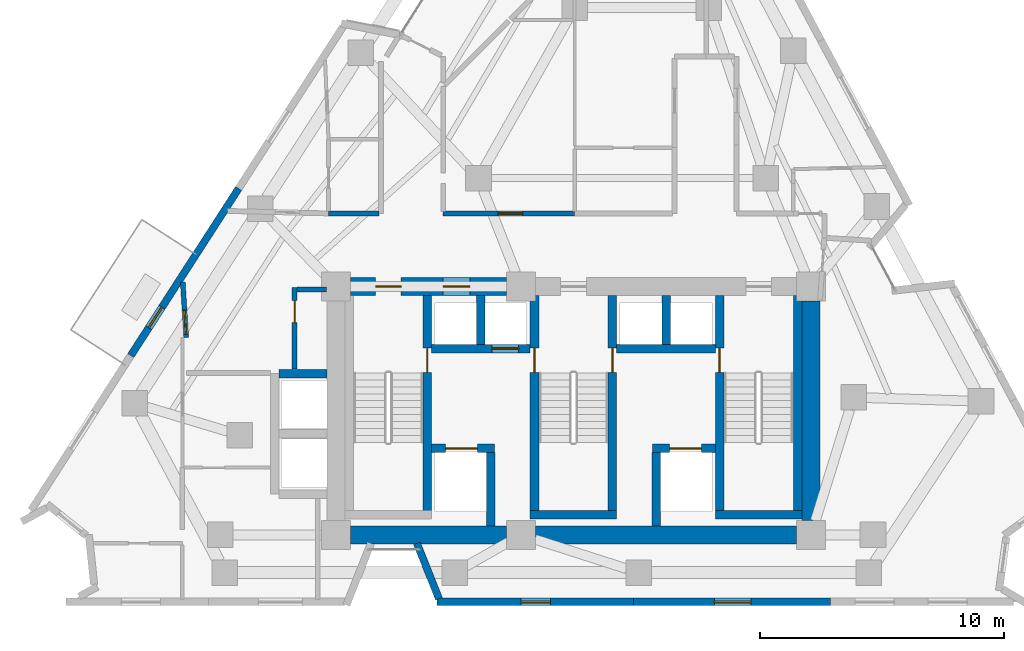
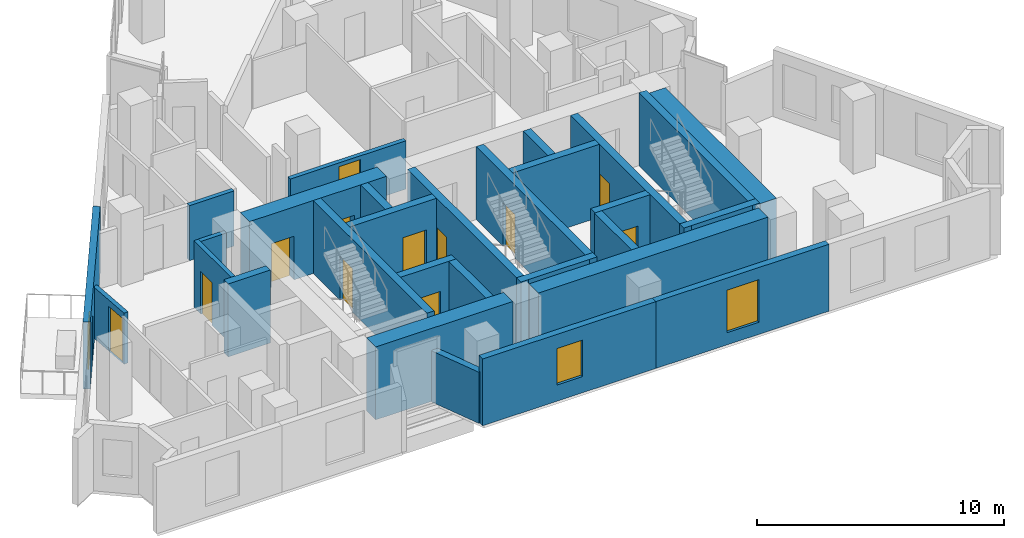
# One storey, part 6 of 11: 29 walls, 13 doors, 2 windows, 15 openings.
"""IFC4 building model written with IfcOpenShell, lengths in metres."""

from ifc_helpers import new_model, si_unit, direction, frame, frame_2d, origin, place, context, subcontext, project, spatial, rectangle, extrude, material, layer, layer_set, type_object, element, fill, save


model = new_model("IFC4")

# Units and contexts
model_context = context("Model", 3, precision=1e-05, world=origin(), true_north=direction((0.0, 1.0)))
body_context = subcontext(model_context, "Body", "Model", "MODEL_VIEW")
ifc_project = project(units=[si_unit("LENGTHUNIT", "METRE"), si_unit("AREAUNIT", "SQUARE_METRE"), si_unit("VOLUMEUNIT", "CUBIC_METRE"), si_unit("PLANEANGLEUNIT", "RADIAN"), si_unit("MASSUNIT", "GRAM", prefix="KILO")], contexts=[model_context])

# Site, building, storey
site_placement = place(None, origin())
site = spatial("IfcSite", under=ifc_project, at=site_placement, CompositionType="ELEMENT")
building_placement = place(site_placement, origin())
building = spatial("IfcBuilding", under=site, at=building_placement, Name="Almagre Mirador Tower", CompositionType="ELEMENT")
storey_placement = place(building_placement, frame((0.0, 0.0, 193.199951171875)))
storey = spatial("IfcBuildingStorey", under=building, at=storey_placement, Name="L50", CompositionType="ELEMENT", Elevation=193.199951171875)

# Wall, opening, window
ifc_material_1 = material(Name="Precast concrete C50/60", Category="concrete")
ifc_layer_1 = layer(ifc_material_1, 0.300048828125)
ifc_layer_set_1 = layer_set([ifc_layer_1], Name="Precast concrete C50/60")
wall_type_1 = type_object("IfcWallType", Name="WAL-EXT-300", PredefinedType="SOLIDWALL", material=ifc_layer_set_1)
wall_1_placement = place(storey_placement, frame((47.85595703125, 1.800048828125, 0.0), z_axis=(0.0, 0.0, 1.0), x_axis=(-1.0, 0.0, 0.0)))
wall_1 = element("IfcWall", 1, at=wall_1_placement, inside=storey, type_object=wall_type_1, Name="L50 expressed almagre precast frame wall 20", PredefinedType="SOLIDWALL", context=body_context, shape_type="SweptSolid", body=[
    extrude(rectangle(XDim=8.083984375, YDim=0.300048828125, at=frame_2d((4.0419921875, 0.0))), origin(), (0.0, 0.0, 1.0), 3.300048828125),
])
opening_1_placement = place(wall_1_placement, frame((3.27490234375, 0.0, 0.60009765625)))
opening_1 = element("IfcOpeningElement", 2, at=opening_1_placement, cuts=wall_1, Name="Opening WN-03", PredefinedType="OPENING", context=body_context, shape_type="SweptSolid", body=[
    extrude(rectangle(XDim=1.5, YDim=2.10009765625, at=frame_2d((0.75, 1.050048828125))), frame((0.0, 0.159902, 0.0), z_axis=(0.0, -1.0, 0.0), x_axis=(1.0, 0.0, 0.0)), (0.0, 0.0, 1.0), 0.320049),
])
ifc_material_2 = material(Name="Dark solar-control laminated hurricane glass", Category="glass")
window_type_1 = type_object("IfcWindowType", Name="WIN-1500X2100", PartitioningType="DOUBLE_PANEL_VERTICAL", PredefinedType="WINDOW", material=ifc_material_2)
window_1_placement = place(opening_1_placement, origin())
window_1 = element("IfcWindow", 3, at=window_1_placement, inside=storey, type_object=window_type_1, Name="L50 recessed hurricane window L50-RST-B", OverallHeight=2.10009765625, OverallWidth=1.5, PartitioningType="SINGLE_PANEL", PredefinedType="WINDOW", context=body_context, shape_type="SweptSolid", body=[
    extrude(rectangle(XDim=1.5, YDim=2.10009765625, at=frame_2d((0.75, 1.050048828125))), frame((0.0, 0.030029296875, 0.0), z_axis=(0.0, -1.0, 0.0), x_axis=(1.0, 0.0, 0.0)), (0.0, 0.0, 1.0), 0.06005859375),
])
fill(opening_1, window_1)

wall_2_placement = place(storey_placement, frame((39.77197265625, 1.800048828125, 0.0), z_axis=(0.0, 0.0, 1.0), x_axis=(-1.0, 0.0, 0.0)))
wall_2 = element("IfcWall", 4, at=wall_2_placement, inside=storey, type_object=wall_type_1, Name="L50 expressed almagre precast frame wall 21", PredefinedType="SOLIDWALL", context=body_context, shape_type="SweptSolid", body=[
    extrude(rectangle(XDim=8.083984375, YDim=0.300048828125, at=frame_2d((4.0419921875, 0.0))), origin(), (0.0, 0.0, 1.0), 3.300048828125),
])
opening_2_placement = place(wall_2_placement, frame((3.425048828125, 0.0, 0.800048828125)))
opening_2 = element("IfcOpeningElement", 5, at=opening_2_placement, cuts=wall_2, Name="Opening WN-04", PredefinedType="OPENING", context=body_context, shape_type="SweptSolid", body=[
    extrude(rectangle(XDim=1.199951171875, YDim=1.800048828125, at=frame_2d((0.60009765625, 0.89990234375))), frame((0.0, 0.159902, 0.0), z_axis=(0.0, -1.0, 0.0), x_axis=(1.0, 0.0, 0.0)), (0.0, 0.0, 1.0), 0.320049),
])
ifc_material_3 = material(Name="Dark solar-control laminated hurricane glass", Category="glass")
window_type_2 = type_object("IfcWindowType", Name="WIN-1200X1800", PartitioningType="SINGLE_PANEL", PredefinedType="WINDOW", material=ifc_material_3)
window_2_placement = place(opening_2_placement, origin())
window_2 = element("IfcWindow", 6, at=window_2_placement, inside=storey, type_object=window_type_2, Name="L50 recessed hurricane window L50-RST-B", OverallHeight=1.800048828125, OverallWidth=1.199951171875, PartitioningType="SINGLE_PANEL", PredefinedType="WINDOW", context=body_context, shape_type="SweptSolid", body=[
    extrude(rectangle(XDim=1.199951171875, YDim=1.800048828125, at=frame_2d((0.60009765625, 0.89990234375))), frame((0.0, 0.030029296875, 0.0), z_axis=(0.0, -1.0, 0.0), x_axis=(1.0, 0.0, 0.0)), (0.0, 0.0, 1.0), 0.06005859375),
])
fill(opening_2, window_2)

# Wall
wall_3_placement = place(storey_placement, frame((31.778076171875, 1.92529296875, 0.0), z_axis=(0.0, 0.0, 1.0), x_axis=(-0.369480334007, 0.929238549987, 0.0)))
element("IfcWall", 7, at=wall_3_placement, inside=storey, type_object=wall_type_1, Name="L50 expressed almagre precast frame wall 22", PredefinedType="SOLIDWALL", context=body_context, shape_type="SweptSolid", body=[
    extrude(rectangle(XDim=2.44677734375, YDim=0.300048828125, at=frame_2d((1.223388671875, 0.0))), origin(), (0.0, 0.0, 1.0), 2.525146484375),
])

# Wall, opening, door
wall_4_placement = place(storey_placement, frame((19.121337890625, 11.910888671875, 0.0), z_axis=(0.0, 0.0, 1.0), x_axis=(0.542005736819, 0.840374786185, 0.0)))
wall_4 = element("IfcWall", 8, at=wall_4_placement, inside=storey, type_object=wall_type_1, Name="L50 expressed almagre precast frame wall 31", PredefinedType="SOLIDWALL", context=body_context, shape_type="SweptSolid", body=[
    extrude(rectangle(XDim=8.171875, YDim=0.300048828125, at=frame_2d((4.0859375, 0.0))), origin(), (0.0, 0.0, 1.0), 3.300048828125),
])
opening_3_placement = place(wall_4_placement, frame((1.362060546875, 0.0, 0.0)))
opening_3 = element("IfcOpeningElement", 9, at=opening_3_placement, cuts=wall_4, Name="Opening BD-01", PredefinedType="OPENING", context=body_context, shape_type="SweptSolid", body=[
    extrude(rectangle(XDim=1.0, YDim=2.199951171875, at=frame_2d((0.5, 1.10009765625))), frame((0.0, 0.159902, 0.0), z_axis=(0.0, -1.0, 0.0), x_axis=(1.0, 0.0, 0.0)), (0.0, 0.0, 1.0), 0.320049),
])
ifc_material_4 = material(Name="Black anodized aluminium and laminated glass", Category="aluminium")
door_type_1 = type_object("IfcDoorType", Name="DOR-BAL-1000X2200", OperationType="NOTDEFINED", PredefinedType="DOOR", material=ifc_material_4)
door_1_placement = place(opening_3_placement, origin())
door_1 = element("IfcDoor", 10, at=door_1_placement, inside=storey, type_object=door_type_1, Name="DR-1566 L50 west balcony glazed door 1", OperationType="SINGLE_SWING_LEFT", OverallHeight=2.199951171875, OverallWidth=1.0, PredefinedType="DOOR", context=body_context, shape_type="SweptSolid", body=[
    extrude(rectangle(XDim=1.0, YDim=2.199951171875, at=frame_2d((0.5, 1.10009765625))), frame((0.0, 0.02490234375, 0.0), z_axis=(0.0, -1.0, 0.0), x_axis=(1.0, 0.0, 0.0)), (0.0, 0.0, 1.0), 0.050048828125),
])
fill(opening_3, door_1)

ifc_material_5 = material(Name="Gypsum acoustic stud partition", Category="other")
ifc_layer_2 = layer(ifc_material_5, 0.199951171875)
ifc_layer_set_2 = layer_set([ifc_layer_2], Name="Gypsum acoustic stud partition")
wall_type_2 = type_object("IfcWallType", Name="WAL-PRT-200-EI60", PredefinedType="PARTITIONING", material=ifc_layer_set_2)
wall_5_placement = place(storey_placement, frame((25.85009765625, 11.3701171875, 0.0), z_axis=(0.0, 0.0, 1.0), x_axis=(0.0, 1.0, 0.0)))
wall_5 = element("IfcWall", 11, at=wall_5_placement, inside=storey, type_object=wall_type_2, Name="L50 core ancillary west wall", PredefinedType="PARTITIONING", context=body_context, shape_type="SweptSolid", body=[
    extrude(rectangle(XDim=3.33984375, YDim=0.199951171875, at=frame_2d((1.669921875, 0.0))), origin(), (0.0, 0.0, 1.0), 3.300048828125),
])
opening_4_placement = place(wall_5_placement, frame((1.89990234375, 0.0, 0.0)))
opening_4 = element("IfcOpeningElement", 12, at=opening_4_placement, cuts=wall_5, Name="Opening ID-03", PredefinedType="OPENING", context=body_context, shape_type="SweptSolid", body=[
    extrude(rectangle(XDim=0.89990234375, YDim=2.10009765625, at=frame_2d((0.449951171875, 1.050048828125))), frame((0.0, 0.110098, 0.0), z_axis=(0.0, -1.0, 0.0), x_axis=(1.0, 0.0, 0.0)), (0.0, 0.0, 1.0), 0.219951),
])
ifc_material_6 = material(Name="Fire-rated hollow steel", Category="steel")
door_type_2 = type_object("IfcDoorType", Name="DOR-FD60-900X2100", OperationType="NOTDEFINED", PredefinedType="DOOR", material=ifc_material_6)
door_2_placement = place(opening_4_placement, origin())
door_2 = element("IfcDoor", 13, at=door_2_placement, inside=storey, type_object=door_type_2, Name="DR-1567 L50 core ancillary corridor door", OperationType="SINGLE_SWING_RIGHT", OverallHeight=2.10009765625, OverallWidth=0.89990234375, PredefinedType="DOOR", context=body_context, shape_type="SweptSolid", body=[
    extrude(rectangle(XDim=0.89990234375, YDim=2.10009765625, at=frame_2d((0.449951171875, 1.050048828125))), frame((0.0, 0.02490234375, 0.0), z_axis=(0.0, -1.0, 0.0), x_axis=(1.0, 0.0, 0.0)), (0.0, 0.0, 1.0), 0.050048828125),
])
fill(opening_4, door_2)

# Wall
wall_6_placement = place(storey_placement, frame((25.955078125, 14.6201171875, 0.0), z_axis=(0.0, 0.0, 1.0), x_axis=(1.0, 0.0, 0.0)))
element("IfcWall", 14, at=wall_6_placement, inside=storey, type_object=wall_type_2, Name="L50 core ancillary north wall", PredefinedType="PARTITIONING", context=body_context, shape_type="SweptSolid", body=[
    extrude(rectangle(XDim=1.204833984375, YDim=0.199951171875, at=frame_2d((0.6025390625, 0.0))), origin(), (0.0, 0.0, 1.0), 3.300048828125),
])

# Wall, opening, door
wall_7_placement = place(storey_placement, frame((21.257080078125, 14.93408203125, 0.0), z_axis=(0.0, 0.0, 1.0), x_axis=(0.06267844951, -0.998033772959, 0.0)))
wall_7 = element("IfcWall", 15, at=wall_7_placement, inside=storey, type_object=wall_type_2, Name="L50 interior partition 001", PredefinedType="PARTITIONING", context=body_context, shape_type="SweptSolid", body=[
    extrude(rectangle(XDim=2.278564453125, YDim=0.199951171875, at=frame_2d((1.13916015625, 0.0))), origin(), (0.0, 0.0, 1.0), 2.52001953125),
])
opening_5_placement = place(wall_7_placement, frame((1.15576171875, 0.0, 0.0)))
opening_5 = element("IfcOpeningElement", 16, at=opening_5_placement, cuts=wall_7, Name="Opening ID-01", PredefinedType="OPENING", context=body_context, shape_type="SweptSolid", body=[
    extrude(rectangle(XDim=1.0, YDim=2.199951171875, at=frame_2d((0.5, 1.10009765625))), frame((0.0, 0.110098, 0.0), z_axis=(0.0, -1.0, 0.0), x_axis=(1.0, 0.0, 0.0)), (0.0, 0.0, 1.0), 0.219951),
])
ifc_material_7 = material(Name="Fire-rated walnut timber", Category="wood")
door_type_3 = type_object("IfcDoorType", Name="DOR-FD60-1000X2200", OperationType="NOTDEFINED", PredefinedType="DOOR", material=ifc_material_7)
door_3_placement = place(opening_5_placement, origin())
door_3 = element("IfcDoor", 17, at=door_3_placement, inside=storey, type_object=door_type_3, Name="DR-1574 L50 interior door L50-RCOR to L50-UA-LV", OperationType="SINGLE_SWING_LEFT", OverallHeight=2.199951171875, OverallWidth=1.0, PredefinedType="DOOR", context=body_context, shape_type="SweptSolid", body=[
    extrude(rectangle(XDim=1.0, YDim=2.199951171875, at=frame_2d((0.5, 1.10009765625))), frame((0.0, 0.02490234375, 0.0), z_axis=(0.0, -1.0, 0.0), x_axis=(1.0, 0.0, 0.0)), (0.0, 0.0, 1.0), 0.050048828125),
])
fill(opening_5, door_3)

# Wall
wall_8_placement = place(storey_placement, frame((29.31494140625, 17.75, 0.0), z_axis=(0.0, 0.0, 1.0), x_axis=(-1.0, 0.0, 0.0)))
element("IfcWall", 18, at=wall_8_placement, inside=storey, type_object=wall_type_2, Name="L50 interior partition 007", PredefinedType="PARTITIONING", context=body_context, shape_type="SweptSolid", body=[
    extrude(rectangle(XDim=2.074951171875, YDim=0.199951171875, at=frame_2d((1.03759765625, 0.0))), origin(), (0.0, 0.0, 1.0), 2.720947265625),
])

# Wall, opening, door
wall_9_placement = place(storey_placement, frame((37.35009765625, 17.75, 0.0), z_axis=(0.0, 0.0, 1.0), x_axis=(-1.0, 0.0, 0.0)))
wall_9 = element("IfcWall", 19, at=wall_9_placement, inside=storey, type_object=wall_type_2, Name="L50 interior partition 014", PredefinedType="PARTITIONING", context=body_context, shape_type="SweptSolid", body=[
    extrude(rectangle(XDim=5.400146484375, YDim=0.199951171875, at=frame_2d((2.7001953125, 0.0))), origin(), (0.0, 0.0, 1.0), 2.385986328125),
])
opening_6_placement = place(wall_9_placement, frame((2.14111328125, 0.0, 0.0)))
opening_6 = element("IfcOpeningElement", 20, at=opening_6_placement, cuts=wall_9, Name="Opening ID-01", PredefinedType="OPENING", context=body_context, shape_type="SweptSolid", body=[
    extrude(rectangle(XDim=1.0, YDim=2.199951171875, at=frame_2d((0.5, 1.10009765625))), frame((0.0, 0.110098, 0.0), z_axis=(0.0, -1.0, 0.0), x_axis=(1.0, 0.0, 0.0)), (0.0, 0.0, 1.0), 0.219951),
])
door_4_placement = place(opening_6_placement, origin())
door_4 = element("IfcDoor", 21, at=door_4_placement, inside=storey, type_object=door_type_3, Name="DR-1586 L50 interior door L50-RCOR to L50-UE-SL1", OperationType="SINGLE_SWING_RIGHT", OverallHeight=2.199951171875, OverallWidth=1.0, PredefinedType="DOOR", context=body_context, shape_type="SweptSolid", body=[
    extrude(rectangle(XDim=1.0, YDim=2.199951171875, at=frame_2d((0.5, 1.10009765625))), frame((0.0, 0.02490234375, 0.0), z_axis=(0.0, -1.0, 0.0), x_axis=(1.0, 0.0, 0.0)), (0.0, 0.0, 1.0), 0.050048828125),
])
fill(opening_6, door_4)

ifc_material_8 = material(Name="Concrete C60/75", Category="concrete")
ifc_layer_3 = layer(ifc_material_8, 0.35009765625)
ifc_layer_set_3 = layer_set([ifc_layer_3], Name="Concrete C60/75")
wall_type_3 = type_object("IfcWallType", Name="WAL-SHF-350", PredefinedType="SOLIDWALL", material=ifc_layer_set_3)
wall_10_placement = place(storey_placement, frame((31.300048828125, 5.199951171875, 0.0), z_axis=(0.0, 0.0, 1.0), x_axis=(0.0, 1.0, 0.0)))
wall_10 = element("IfcWall", 22, at=wall_10_placement, inside=storey, type_object=wall_type_3, Name="L50 shaft wall ST1-E", PredefinedType="SOLIDWALL", context=body_context, shape_type="SweptSolid", body=[
    extrude(rectangle(XDim=9.175048828125, YDim=0.35009765625, at=frame_2d((4.58740234375, 0.0))), origin(), (0.0, 0.0, 1.0), 3.60009765625),
])
opening_7_placement = place(wall_10_placement, frame((6.02001953125, 0.0, 0.0)))
opening_7 = element("IfcOpeningElement", 23, at=opening_7_placement, cuts=wall_10, Name="Opening FD-01", PredefinedType="OPENING", context=body_context, shape_type="SweptSolid", body=[
    extrude(rectangle(XDim=1.0, YDim=2.14990234375, at=frame_2d((0.5, 1.074951171875))), frame((0.0, 0.185049, 0.0), z_axis=(0.0, -1.0, 0.0), x_axis=(1.0, 0.0, 0.0)), (0.0, 0.0, 1.0), 0.370098),
])
ifc_material_9 = material(Name="Fire-rated hollow steel", Category="steel")
door_type_4 = type_object("IfcDoorType", Name="DOR-FFL-1000X2150", OperationType="NOTDEFINED", PredefinedType="DOOR", material=ifc_material_9)
door_5_placement = place(opening_7_placement, origin())
door_5 = element("IfcDoor", 24, at=door_5_placement, inside=storey, type_object=door_type_4, Name="DR-1568 L50 FFL1-ST1 smokeproof door", OperationType="SINGLE_SWING_RIGHT", OverallHeight=2.14990234375, OverallWidth=1.0, PredefinedType="DOOR", context=body_context, shape_type="SweptSolid", body=[
    extrude(rectangle(XDim=1.0, YDim=2.14990234375, at=frame_2d((0.5, 1.074951171875))), frame((0.0, 0.02490234375, 0.0), z_axis=(0.0, -1.0, 0.0), x_axis=(1.0, 0.0, 0.0)), (0.0, 0.0, 1.0), 0.050048828125),
])
fill(opening_7, door_5)

wall_11_placement = place(storey_placement, frame((35.699951171875, 5.199951171875, 0.0), z_axis=(0.0, 0.0, 1.0), x_axis=(0.0, 1.0, 0.0)))
wall_11 = element("IfcWall", 25, at=wall_11_placement, inside=storey, type_object=wall_type_3, Name="L50 shaft wall ST2-W", PredefinedType="SOLIDWALL", context=body_context, shape_type="SweptSolid", body=[
    extrude(rectangle(XDim=9.175048828125, YDim=0.35009765625, at=frame_2d((4.58740234375, 0.0))), origin(), (0.0, 0.0, 1.0), 3.60009765625),
])
opening_8_placement = place(wall_11_placement, frame((6.02001953125, 0.0, 0.0)))
opening_8 = element("IfcOpeningElement", 26, at=opening_8_placement, cuts=wall_11, Name="Opening FD-01", PredefinedType="OPENING", context=body_context, shape_type="SweptSolid", body=[
    extrude(rectangle(XDim=1.0, YDim=2.14990234375, at=frame_2d((0.5, 1.074951171875))), frame((0.0, 0.185049, 0.0), z_axis=(0.0, -1.0, 0.0), x_axis=(1.0, 0.0, 0.0)), (0.0, 0.0, 1.0), 0.370098),
])
door_6_placement = place(opening_8_placement, origin())
door_6 = element("IfcDoor", 27, at=door_6_placement, inside=storey, type_object=door_type_4, Name="DR-1569 L50 FFL1-ST2 smokeproof door", OperationType="SINGLE_SWING_LEFT", OverallHeight=2.14990234375, OverallWidth=1.0, PredefinedType="DOOR", context=body_context, shape_type="SweptSolid", body=[
    extrude(rectangle(XDim=1.0, YDim=2.14990234375, at=frame_2d((0.5, 1.074951171875))), frame((0.0, 0.02490234375, 0.0), z_axis=(0.0, -1.0, 0.0), x_axis=(1.0, 0.0, 0.0)), (0.0, 0.0, 1.0), 0.050048828125),
])
fill(opening_8, door_6)

wall_12_placement = place(storey_placement, frame((38.89990234375, 5.199951171875, 0.0), z_axis=(0.0, 0.0, 1.0), x_axis=(0.0, 1.0, 0.0)))
wall_12 = element("IfcWall", 28, at=wall_12_placement, inside=storey, type_object=wall_type_3, Name="L50 shaft wall ST2-E", PredefinedType="SOLIDWALL", context=body_context, shape_type="SweptSolid", body=[
    extrude(rectangle(XDim=9.175048828125, YDim=0.35009765625, at=frame_2d((4.58740234375, 0.0))), origin(), (0.0, 0.0, 1.0), 3.60009765625),
])
opening_9_placement = place(wall_12_placement, frame((6.02001953125, 0.0, 0.0)))
opening_9 = element("IfcOpeningElement", 29, at=opening_9_placement, cuts=wall_12, Name="Opening FD-01", PredefinedType="OPENING", context=body_context, shape_type="SweptSolid", body=[
    extrude(rectangle(XDim=1.0, YDim=2.14990234375, at=frame_2d((0.5, 1.074951171875))), frame((0.0, 0.185049, 0.0), z_axis=(0.0, -1.0, 0.0), x_axis=(1.0, 0.0, 0.0)), (0.0, 0.0, 1.0), 0.370098),
])
door_7_placement = place(opening_9_placement, origin())
door_7 = element("IfcDoor", 30, at=door_7_placement, inside=storey, type_object=door_type_4, Name="DR-1570 L50 FFL2-ST2 smokeproof door", OperationType="SINGLE_SWING_RIGHT", OverallHeight=2.14990234375, OverallWidth=1.0, PredefinedType="DOOR", context=body_context, shape_type="SweptSolid", body=[
    extrude(rectangle(XDim=1.0, YDim=2.14990234375, at=frame_2d((0.5, 1.074951171875))), frame((0.0, 0.02490234375, 0.0), z_axis=(0.0, -1.0, 0.0), x_axis=(1.0, 0.0, 0.0)), (0.0, 0.0, 1.0), 0.050048828125),
])
fill(opening_9, door_7)

# Wall
wall_13_placement = place(storey_placement, frame((35.52490234375, 5.375, 0.0), z_axis=(0.0, 0.0, 1.0), x_axis=(1.0, 0.0, 0.0)))
element("IfcWall", 31, at=wall_13_placement, inside=storey, type_object=wall_type_3, Name="L50 shaft wall ST2-S", PredefinedType="SOLIDWALL", context=body_context, shape_type="SweptSolid", body=[
    extrude(rectangle(XDim=3.550048828125, YDim=0.35009765625, at=frame_2d((1.77490234375, 0.0))), origin(), (0.0, 0.0, 1.0), 3.60009765625),
])

# Wall, opening, door
wall_14_placement = place(storey_placement, frame((43.300048828125, 5.199951171875, 0.0), z_axis=(0.0, 0.0, 1.0), x_axis=(0.0, 1.0, 0.0)))
wall_14 = element("IfcWall", 32, at=wall_14_placement, inside=storey, type_object=wall_type_3, Name="L50 shaft wall ST3-W", PredefinedType="SOLIDWALL", context=body_context, shape_type="SweptSolid", body=[
    extrude(rectangle(XDim=9.175048828125, YDim=0.35009765625, at=frame_2d((4.58740234375, 0.0))), origin(), (0.0, 0.0, 1.0), 3.60009765625),
])
opening_10_placement = place(wall_14_placement, frame((6.02001953125, 0.0, 0.0)))
opening_10 = element("IfcOpeningElement", 33, at=opening_10_placement, cuts=wall_14, Name="Opening FD-01", PredefinedType="OPENING", context=body_context, shape_type="SweptSolid", body=[
    extrude(rectangle(XDim=1.0, YDim=2.14990234375, at=frame_2d((0.5, 1.074951171875))), frame((0.0, 0.185049, 0.0), z_axis=(0.0, -1.0, 0.0), x_axis=(1.0, 0.0, 0.0)), (0.0, 0.0, 1.0), 0.370098),
])
door_8_placement = place(opening_10_placement, origin())
door_8 = element("IfcDoor", 34, at=door_8_placement, inside=storey, type_object=door_type_4, Name="DR-1571 L50 FFL2-ST3 smokeproof door", OperationType="SINGLE_SWING_LEFT", OverallHeight=2.14990234375, OverallWidth=1.0, PredefinedType="DOOR", context=body_context, shape_type="SweptSolid", body=[
    extrude(rectangle(XDim=1.0, YDim=2.14990234375, at=frame_2d((0.5, 1.074951171875))), frame((0.0, 0.02490234375, 0.0), z_axis=(0.0, -1.0, 0.0), x_axis=(1.0, 0.0, 0.0)), (0.0, 0.0, 1.0), 0.050048828125),
])
fill(opening_10, door_8)

# Walls
wall_15_placement = place(storey_placement, frame((46.5, 5.199951171875, 0.0), z_axis=(0.0, 0.0, 1.0), x_axis=(0.0, 1.0, 0.0)))
element("IfcWall", 35, at=wall_15_placement, inside=storey, type_object=wall_type_3, Name="L50 shaft wall ST3-E", PredefinedType="SOLIDWALL", context=body_context, shape_type="SweptSolid", body=[
    extrude(rectangle(XDim=9.175048828125, YDim=0.35009765625, at=frame_2d((4.58740234375, 0.0))), origin(), (0.0, 0.0, 1.0), 3.60009765625),
])
wall_16_placement = place(storey_placement, frame((43.125, 5.375, 0.0), z_axis=(0.0, 0.0, 1.0), x_axis=(1.0, 0.0, 0.0)))
element("IfcWall", 36, at=wall_16_placement, inside=storey, type_object=wall_type_3, Name="L50 shaft wall ST3-S", PredefinedType="SOLIDWALL", context=body_context, shape_type="SweptSolid", body=[
    extrude(rectangle(XDim=3.550048828125, YDim=0.35009765625, at=frame_2d((1.77490234375, 0.0))), origin(), (0.0, 0.0, 1.0), 3.60009765625),
])

# Wall, opening, door
wall_17_placement = place(storey_placement, frame((31.47509765625, 8.10009765625, 0.0), z_axis=(0.0, 0.0, 1.0), x_axis=(1.0, 0.0, 0.0)))
wall_17 = element("IfcWall", 37, at=wall_17_placement, inside=storey, type_object=wall_type_3, Name="L50 shaft wall FSAE1-N", PredefinedType="SOLIDWALL", context=body_context, shape_type="SweptSolid", body=[
    extrude(rectangle(XDim=2.574951171875, YDim=0.35009765625, at=frame_2d((1.28759765625, 0.0))), origin(), (0.0, 0.0, 1.0), 3.60009765625),
])
opening_11_placement = place(wall_17_placement, frame((0.574951171875, 0.0, 0.0)))
opening_11 = element("IfcOpeningElement", 38, at=opening_11_placement, cuts=wall_17, Name="Opening LD-03", PredefinedType="OPENING", context=body_context, shape_type="SweptSolid", body=[
    extrude(rectangle(XDim=1.300048828125, YDim=2.25, at=frame_2d((0.64990234375, 1.125))), frame((0.0, 0.185049, 0.0), z_axis=(0.0, -1.0, 0.0), x_axis=(1.0, 0.0, 0.0)), (0.0, 0.0, 1.0), 0.370098),
])
ifc_material_10 = material(Name="Hollow stainless steel", Category="steel")
door_type_5 = type_object("IfcDoorType", Name="DOR-LD-1300X2250", OperationType="DOUBLE_DOOR_SLIDING", PredefinedType="DOOR", material=ifc_material_10)
door_9_placement = place(opening_11_placement, origin())
door_9 = element("IfcDoor", 39, at=door_9_placement, inside=storey, type_object=door_type_5, Name="DR-1589 L50 FSAE-1 lift landing door", OperationType="DOUBLE_DOOR_SLIDING", OverallHeight=2.25, OverallWidth=1.300048828125, PredefinedType="DOOR", context=body_context, shape_type="SweptSolid", body=[
    extrude(rectangle(XDim=1.300048828125, YDim=2.25, at=frame_2d((0.64990234375, 1.125))), frame((0.0, 0.02490234375, 0.0), z_axis=(0.0, -1.0, 0.0), x_axis=(1.0, 0.0, 0.0)), (0.0, 0.0, 1.0), 0.050048828125),
])
fill(opening_11, door_9)

wall_18_placement = place(storey_placement, frame((40.550048828125, 8.10009765625, 0.0), z_axis=(0.0, 0.0, 1.0), x_axis=(1.0, 0.0, 0.0)))
wall_18 = element("IfcWall", 40, at=wall_18_placement, inside=storey, type_object=wall_type_3, Name="L50 shaft wall FSAE2-N", PredefinedType="SOLIDWALL", context=body_context, shape_type="SweptSolid", body=[
    extrude(rectangle(XDim=2.574951171875, YDim=0.35009765625, at=frame_2d((1.28759765625, 0.0))), origin(), (0.0, 0.0, 1.0), 3.60009765625),
])
opening_12_placement = place(wall_18_placement, frame((0.699951171875, 0.0, 0.0)))
opening_12 = element("IfcOpeningElement", 41, at=opening_12_placement, cuts=wall_18, Name="Opening LD-03", PredefinedType="OPENING", context=body_context, shape_type="SweptSolid", body=[
    extrude(rectangle(XDim=1.300048828125, YDim=2.25, at=frame_2d((0.64990234375, 1.125))), frame((0.0, 0.185049, 0.0), z_axis=(0.0, -1.0, 0.0), x_axis=(1.0, 0.0, 0.0)), (0.0, 0.0, 1.0), 0.370098),
])
door_10_placement = place(opening_12_placement, origin())
door_10 = element("IfcDoor", 42, at=door_10_placement, inside=storey, type_object=door_type_5, Name="DR-1590 L50 FSAE-2 lift landing door", OperationType="DOUBLE_DOOR_SLIDING", OverallHeight=2.25, OverallWidth=1.300048828125, PredefinedType="DOOR", context=body_context, shape_type="SweptSolid", body=[
    extrude(rectangle(XDim=1.300048828125, YDim=2.25, at=frame_2d((0.64990234375, 1.125))), frame((0.0, 0.02490234375, 0.0), z_axis=(0.0, -1.0, 0.0), x_axis=(1.0, 0.0, 0.0)), (0.0, 0.0, 1.0), 0.050048828125),
])
fill(opening_12, door_10)

# Walls
for number, where, z_axis, x_axis, name in (
    (43, (33.89990234375, 4.925048828125, 0.0), (0.0, 0.0, 1.0), (0.0, 1.0, 0.0), "L50 shaft wall FSAE1-E"),
    (44, (40.699951171875, 4.925048828125, 0.0), (0.0, 0.0, 1.0), (0.0, 1.0, 0.0), "L50 shaft wall FSAE2-W"),
):
    element("IfcWall", number, at=place(storey_placement, frame(where, z_axis=z_axis, x_axis=x_axis)), inside=storey, type_object=wall_type_3, Name=name, PredefinedType="SOLIDWALL", context=body_context, shape_type="SweptSolid", body=[
        extrude(rectangle(XDim=3.0, YDim=0.35009765625, at=frame_2d((1.5, 0.0))), origin(), (0.0, 0.0, 1.0), 3.60009765625),
    ])

# Wall, opening, door
wall_19_placement = place(storey_placement, frame((31.47509765625, 12.199951171875, 0.0), z_axis=(0.0, 0.0, 1.0), x_axis=(1.0, 0.0, 0.0)))
wall_19 = element("IfcWall", 45, at=wall_19_placement, inside=storey, type_object=wall_type_3, Name="L50 shaft wall PLM-S", PredefinedType="SOLIDWALL", context=body_context, shape_type="SweptSolid", body=[
    extrude(rectangle(XDim=4.0498046875, YDim=0.35009765625, at=frame_2d((2.02490234375, 0.0))), origin(), (0.0, 0.0, 1.0), 3.60009765625),
])
opening_13_placement = place(wall_19_placement, frame((2.47509765625, 0.0, 0.0)))
opening_13 = element("IfcOpeningElement", 46, at=opening_13_placement, cuts=wall_19, Name="Opening LD-01", PredefinedType="OPENING", context=body_context, shape_type="SweptSolid", body=[
    extrude(rectangle(XDim=1.10009765625, YDim=2.199951171875, at=frame_2d((0.550048828125, 1.10009765625))), frame((0.0, 0.185049, 0.0), z_axis=(0.0, -1.0, 0.0), x_axis=(1.0, 0.0, 0.0)), (0.0, 0.0, 1.0), 0.370098),
])
ifc_material_11 = material(Name="Hollow stainless steel", Category="steel")
door_type_6 = type_object("IfcDoorType", Name="DOR-LD-1100X2200", OperationType="DOUBLE_DOOR_SLIDING", PredefinedType="DOOR", material=ifc_material_11)
door_11_placement = place(opening_13_placement, origin())
door_11 = element("IfcDoor", 47, at=door_11_placement, inside=storey, type_object=door_type_6, Name="DR-1592 L50 PL-M2 lift landing door", OperationType="DOUBLE_DOOR_SLIDING", OverallHeight=2.199951171875, OverallWidth=1.10009765625, PredefinedType="DOOR", context=body_context, shape_type="SweptSolid", body=[
    extrude(rectangle(XDim=1.10009765625, YDim=2.199951171875, at=frame_2d((0.550048828125, 1.10009765625))), frame((0.0, 0.02490234375, 0.0), z_axis=(0.0, -1.0, 0.0), x_axis=(1.0, 0.0, 0.0)), (0.0, 0.0, 1.0), 0.050048828125),
])
fill(opening_13, door_11)

# Walls
wall_20_placement = place(storey_placement, frame((33.5, 12.375, 0.0), z_axis=(0.0, 0.0, 1.0), x_axis=(0.0, 1.0, 0.0)))
element("IfcWall", 48, at=wall_20_placement, inside=storey, type_object=wall_type_3, Name="L50 shaft wall PLM-M", PredefinedType="SOLIDWALL", context=body_context, shape_type="SweptSolid", body=[
    extrude(rectangle(XDim=2.0, YDim=0.35009765625, at=frame_2d((1.0, 0.0))), origin(), (0.0, 0.0, 1.0), 3.60009765625),
])
wall_21_placement = place(storey_placement, frame((39.074951171875, 12.199951171875, 0.0), z_axis=(0.0, 0.0, 1.0), x_axis=(1.0, 0.0, 0.0)))
element("IfcWall", 49, at=wall_21_placement, inside=storey, type_object=wall_type_3, Name="L50 shaft wall PLH-S", PredefinedType="SOLIDWALL", context=body_context, shape_type="SweptSolid", body=[
    extrude(rectangle(XDim=4.050048828125, YDim=0.35009765625, at=frame_2d((2.02490234375, 0.0))), origin(), (0.0, 0.0, 1.0), 3.60009765625),
])
wall_22_placement = place(storey_placement, frame((41.10009765625, 12.375, 0.0), z_axis=(0.0, 0.0, 1.0), x_axis=(0.0, 1.0, 0.0)))
element("IfcWall", 50, at=wall_22_placement, inside=storey, type_object=wall_type_3, Name="L50 shaft wall PLH-M", PredefinedType="SOLIDWALL", context=body_context, shape_type="SweptSolid", body=[
    extrude(rectangle(XDim=2.0, YDim=0.35009765625, at=frame_2d((1.0, 0.0))), origin(), (0.0, 0.0, 1.0), 3.60009765625),
])
wall_23_placement = place(storey_placement, frame((25.199951171875, 11.175048828125, 0.0), z_axis=(0.0, 0.0, 1.0), x_axis=(1.0, 0.0, 0.0)))
element("IfcWall", 51, at=wall_23_placement, inside=storey, type_object=wall_type_3, Name="L50 shaft wall OL-N", PredefinedType="SOLIDWALL", context=body_context, shape_type="SweptSolid", body=[
    extrude(rectangle(XDim=1.97509765625, YDim=0.35009765625, at=frame_2d((0.987548828125, 0.0))), origin(), (0.0, 0.0, 1.0), 3.60009765625),
])
ifc_material_12 = material(Name="Concrete C60/75", Category="concrete")
ifc_layer_4 = layer(ifc_material_12, 0.75)
ifc_layer_set_4 = layer_set([ifc_layer_4], Name="Concrete C60/75")
wall_type_4 = type_object("IfcWallType", Name="WAL-SHR-750", PredefinedType="SHEAR", material=ifc_layer_set_4)
wall_24_placement = place(storey_placement, frame((28.14990234375, 4.550048828125, 0.0), z_axis=(0.0, 0.0, 1.0), x_axis=(1.0, 0.0, 0.0)))
element("IfcWall", 52, at=wall_24_placement, inside=storey, type_object=wall_type_4, Name="L50 core shear wall S1", PredefinedType="SHEAR", context=body_context, shape_type="SweptSolid", body=[
    extrude(rectangle(XDim=6.400146484375, YDim=0.75, at=frame_2d((3.2001953125, 0.0))), origin(), (0.0, 0.0, 1.0), 3.60009765625),
])
wall_25_placement = place(storey_placement, frame((35.75, 4.550048828125, 0.0), z_axis=(0.0, 0.0, 1.0), x_axis=(1.0, 0.0, 0.0)))
element("IfcWall", 53, at=wall_25_placement, inside=storey, type_object=wall_type_4, Name="L50 core shear wall S2", PredefinedType="SHEAR", context=body_context, shape_type="SweptSolid", body=[
    extrude(rectangle(XDim=10.699951171875, YDim=0.75, at=frame_2d((5.35009765625, 0.0))), origin(), (0.0, 0.0, 1.0), 3.60009765625),
])

# Wall, openings, doors
wall_26_placement = place(storey_placement, frame((28.14990234375, 14.75, 0.0), z_axis=(0.0, 0.0, 1.0), x_axis=(1.0, 0.0, 0.0)))
wall_26 = element("IfcWall", 54, at=wall_26_placement, inside=storey, type_object=wall_type_4, Name="L50 core shear wall N1", PredefinedType="SHEAR", context=body_context, shape_type="SweptSolid", body=[
    extrude(rectangle(XDim=6.400146484375, YDim=0.75, at=frame_2d((3.2001953125, 0.0))), origin(), (0.0, 0.0, 1.0), 3.60009765625),
])
opening_14_placement = place(wall_26_placement, frame((1.02490234375, 0.0, 0.0)))
opening_14 = element("IfcOpeningElement", 55, at=opening_14_placement, cuts=wall_26, Name="Opening SD-01", PredefinedType="OPENING", context=body_context, shape_type="SweptSolid", body=[
    extrude(rectangle(XDim=1.050048828125, YDim=2.14990234375, at=frame_2d((0.52490234375, 1.074951171875))), frame((0.0, 0.385, 0.0), z_axis=(0.0, -1.0, 0.0), x_axis=(1.0, 0.0, 0.0)), (0.0, 0.0, 1.0), 0.77),
])
opening_15_placement = place(wall_26_placement, frame((3.800048828125, 0.0, 0.0)))
opening_15 = element("IfcOpeningElement", 56, at=opening_15_placement, cuts=wall_26, Name="Opening LD-01", PredefinedType="OPENING", context=body_context, shape_type="SweptSolid", body=[
    extrude(rectangle(XDim=1.10009765625, YDim=2.199951171875, at=frame_2d((0.550048828125, 1.10009765625))), frame((0.0, 0.385, 0.0), z_axis=(0.0, -1.0, 0.0), x_axis=(1.0, 0.0, 0.0)), (0.0, 0.0, 1.0), 0.77),
])
door_12_placement = place(opening_15_placement, origin())
door_12 = element("IfcDoor", 57, at=door_12_placement, inside=storey, type_object=door_type_6, Name="DR-1591 L50 PL-M1 lift landing door", OperationType="DOUBLE_DOOR_SLIDING", OverallHeight=2.199951171875, OverallWidth=1.10009765625, PredefinedType="DOOR", context=body_context, shape_type="SweptSolid", body=[
    extrude(rectangle(XDim=1.10009765625, YDim=2.199951171875, at=frame_2d((0.550048828125, 1.10009765625))), frame((0.0, 0.02490234375, 0.0), z_axis=(0.0, -1.0, 0.0), x_axis=(1.0, 0.0, 0.0)), (0.0, 0.0, 1.0), 0.050048828125),
])
fill(opening_15, door_12)
ifc_material_13 = material(Name="Fire-rated hollow steel", Category="steel")
door_type_7 = type_object("IfcDoorType", Name="DOR-ST-1050X2150", OperationType="NOTDEFINED", PredefinedType="DOOR", material=ifc_material_13)
door_13_placement = place(opening_14_placement, origin())
door_13 = element("IfcDoor", 58, at=door_13_placement, inside=storey, type_object=door_type_7, Name="DR-1593 L50 protected exit stair ST-1 door", OperationType="SINGLE_SWING_RIGHT", OverallHeight=2.14990234375, OverallWidth=1.050048828125, PredefinedType="DOOR", context=body_context, shape_type="SweptSolid", body=[
    extrude(rectangle(XDim=1.050048828125, YDim=2.14990234375, at=frame_2d((0.52490234375, 1.074951171875))), frame((0.0, 0.02490234375, 0.0), z_axis=(0.0, -1.0, 0.0), x_axis=(1.0, 0.0, 0.0)), (0.0, 0.0, 1.0), 0.050048828125),
])
fill(opening_14, door_13)

# Wall
wall_27_placement = place(storey_placement, frame((47.050048828125, 5.14990234375, 0.0), z_axis=(0.0, 0.0, 1.0), x_axis=(0.0, 1.0, 0.0)))
element("IfcWall", 59, at=wall_27_placement, inside=storey, type_object=wall_type_4, Name="L50 core shear wall E1", PredefinedType="SHEAR", context=body_context, shape_type="SweptSolid", body=[
    extrude(rectangle(XDim=9.0, YDim=0.75, at=frame_2d((4.5, 0.0))), origin(), (0.0, 0.0, 1.0), 3.60009765625),
])

save(model, "model.ifc")
